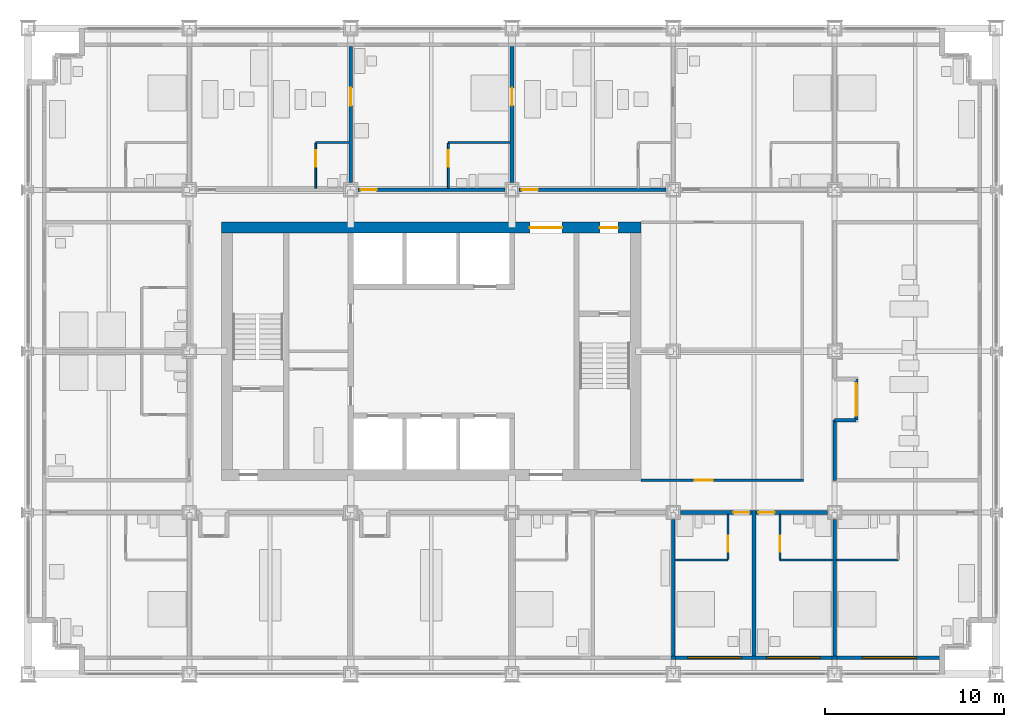
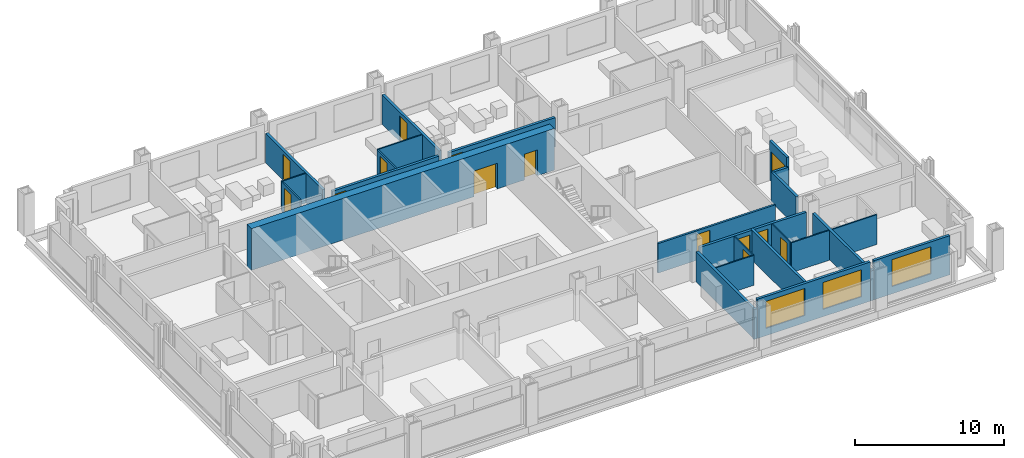
# One storey, part 12 of 18: 26 walls, 14 doors, 3 windows, 17 openings.
"""IFC4 building model written with IfcOpenShell, lengths in metres."""

from ifc_helpers import new_model, si_unit, direction, frame, frame_2d, origin, place, context, subcontext, project, spatial, rectangle, extrude, material, layer, layer_set, type_object, element, fill, save


model = new_model("IFC4")

# Units and contexts
model_context = context("Model", 3, precision=1e-05, world=origin(), true_north=direction((0.0, 1.0)))
body_context = subcontext(model_context, "Body", "Model", "MODEL_VIEW")
ifc_project = project(units=[si_unit("LENGTHUNIT", "METRE"), si_unit("AREAUNIT", "SQUARE_METRE"), si_unit("VOLUMEUNIT", "CUBIC_METRE"), si_unit("PLANEANGLEUNIT", "RADIAN"), si_unit("MASSUNIT", "GRAM", prefix="KILO")], contexts=[model_context])

# Site, building, storey
site_placement = place(None, origin())
site = spatial("IfcSite", under=ifc_project, at=site_placement, CompositionType="ELEMENT")
building_placement = place(site_placement, origin())
building = spatial("IfcBuilding", under=site, at=building_placement, Name="Loomwork Tower", CompositionType="ELEMENT")
storey_placement = place(building_placement, frame((0.0, 0.0, 28.0)))
storey = spatial("IfcBuildingStorey", under=building, at=storey_placement, Name="L05", CompositionType="ELEMENT", Elevation=28.0)

# Wall, openings, doors
ifc_material_1 = material(Name="Concrete 14000 psi (97 MPa)", Category="concrete")
ifc_layer_1 = layer(ifc_material_1, 0.60009765625)
ifc_layer_set_1 = layer_set([ifc_layer_1], Name="Core shear wall 600")
wall_type_1 = type_object("IfcWallType", Name="Core shear wall 600", PredefinedType="SHEAR", material=ifc_layer_set_1)
wall_1_placement = place(storey_placement, frame((10.800048828125, 24.89990234375, 0.0), z_axis=(0.0, 0.0, 1.0), x_axis=(1.0, 0.0, 0.0)))
wall_1 = element("IfcWall", 1, at=wall_1_placement, inside=storey, type_object=wall_type_1, Name="Core wall north L05", PredefinedType="SHEAR", context=body_context, shape_type="SweptSolid", body=[
    extrude(rectangle(XDim=23.39990234375, YDim=0.60009765625, at=frame_2d((11.699951171875, 0.0))), origin(), (0.0, 0.0, 1.0), 3.39990234375),
])
opening_1_placement = place(wall_1_placement, frame((17.199951171875, 0.0, 0.0)))
opening_1 = element("IfcOpeningElement", 2, at=opening_1_placement, cuts=wall_1, Name="Opening D6", PredefinedType="OPENING", context=body_context, shape_type="SweptSolid", body=[
    extrude(rectangle(XDim=1.800048828125, YDim=2.10009765625, at=frame_2d((0.89990234375, 1.050048828125))), frame((0.0, 0.31005859375, 0.0), z_axis=(0.0, -1.0, 0.0), x_axis=(1.0, 0.0, 0.0)), (0.0, 0.0, 1.0), 0.6201171875),
])
opening_2_placement = place(wall_1_placement, frame((21.10009765625, 0.0, 0.0)))
opening_2 = element("IfcOpeningElement", 3, at=opening_2_placement, cuts=wall_1, Name="Opening D4", PredefinedType="OPENING", context=body_context, shape_type="SweptSolid", body=[
    extrude(rectangle(XDim=1.0, YDim=2.10009765625, at=frame_2d((0.5, 1.050048828125))), frame((0.0, 0.31005859375, 0.0), z_axis=(0.0, -1.0, 0.0), x_axis=(1.0, 0.0, 0.0)), (0.0, 0.0, 1.0), 0.6201171875),
])
ifc_material_2 = material(Name="Hollow metal door and frame")
door_type_1 = type_object("IfcDoorType", Name="Lobby passage double door 1800", OperationType="DOUBLE_DOOR_SINGLE_SWING", PredefinedType="DOOR", material=ifc_material_2)
door_1_placement = place(opening_1_placement, frame((1.800048828125, 0.0, 0.0), z_axis=(0.0, 0.0, 1.0), x_axis=(-1.0, 0.0, 0.0)))
door_1 = element("IfcDoor", 4, at=door_1_placement, inside=storey, type_object=door_type_1, Name="Lobby passage door north", OperationType="DOUBLE_DOOR_SINGLE_SWING", OverallHeight=2.10009765625, OverallWidth=1.800048828125, PredefinedType="DOOR", context=body_context, shape_type="SweptSolid", body=[
    extrude(rectangle(XDim=1.800048828125, YDim=2.10009765625, at=frame_2d((0.89990234375, 1.050048828125))), frame((0.0, 0.02490234375, 0.0), z_axis=(0.0, -1.0, 0.0), x_axis=(1.0, 0.0, 0.0)), (0.0, 0.0, 1.0), 0.050048828125),
])
fill(opening_1, door_1)
ifc_material_3 = material(Name="Hollow metal door and frame")
door_type_2 = type_object("IfcDoorType", Name="Stair door 1000", OperationType="SINGLE_SWING_RIGHT", PredefinedType="DOOR", material=ifc_material_3)
door_2_placement = place(opening_2_placement, frame((1.0, 0.0, 0.0), z_axis=(0.0, 0.0, 1.0), x_axis=(-1.0, 0.0, 0.0)))
door_2 = element("IfcDoor", 5, at=door_2_placement, inside=storey, type_object=door_type_2, Name="Stair B vestibule door", OperationType="SINGLE_SWING_LEFT", OverallHeight=2.10009765625, OverallWidth=1.0, PredefinedType="DOOR", context=body_context, shape_type="SweptSolid", body=[
    extrude(rectangle(XDim=1.0, YDim=2.10009765625, at=frame_2d((0.5, 1.050048828125))), frame((0.0, 0.02490234375, 0.0), z_axis=(0.0, -1.0, 0.0), x_axis=(1.0, 0.0, 0.0)), (0.0, 0.0, 1.0), 0.050048828125),
])
fill(opening_2, door_2)

ifc_material_4 = material(Name="Gypsum board on steel studs, one-hour", Category="steel")
ifc_layer_2 = layer(ifc_material_4, 0.199951171875)
ifc_layer_set_2 = layer_set([ifc_layer_2], Name="Corridor wall 200")
wall_type_2 = type_object("IfcWallType", Name="Corridor wall 200", PredefinedType="PARTITIONING", material=ifc_layer_set_2)
wall_2_placement = place(storey_placement, frame((36.39990234375, 9.0, 0.0), z_axis=(0.0, 0.0, 1.0), x_axis=(1.0, 0.0, 0.0)))
wall_2 = element("IfcWall", 6, at=wall_2_placement, inside=storey, type_object=wall_type_2, Name="South corridor wall 5", PredefinedType="PARTITIONING", context=body_context, shape_type="SweptSolid", body=[
    extrude(rectangle(XDim=8.2001953125, YDim=0.199951171875, at=frame_2d((4.10009765625, 0.0))), origin(), (0.0, 0.0, 1.0), 2.43798828125),
])
opening_3_placement = place(wall_2_placement, frame((2.949951171875, 0.0, 0.0)))
opening_3 = element("IfcOpeningElement", 7, at=opening_3_placement, cuts=wall_2, Name="Opening D1", PredefinedType="OPENING", context=body_context, shape_type="SweptSolid", body=[
    extrude(rectangle(XDim=0.89990234375, YDim=2.10009765625, at=frame_2d((0.449951171875, 1.050048828125))), frame((0.0, 0.10986328125, 0.0), z_axis=(0.0, -1.0, 0.0), x_axis=(1.0, 0.0, 0.0)), (0.0, 0.0, 1.0), 0.219970703125),
])
opening_4_placement = place(wall_2_placement, frame((4.35009765625, 0.0, 0.0)))
opening_4 = element("IfcOpeningElement", 8, at=opening_4_placement, cuts=wall_2, Name="Opening D1", PredefinedType="OPENING", context=body_context, shape_type="SweptSolid", body=[
    extrude(rectangle(XDim=0.89990234375, YDim=2.10009765625, at=frame_2d((0.449951171875, 1.050048828125))), frame((0.0, 0.10986328125, 0.0), z_axis=(0.0, -1.0, 0.0), x_axis=(1.0, 0.0, 0.0)), (0.0, 0.0, 1.0), 0.219970703125),
])
ifc_material_5 = material(Name="Hollow metal door and frame")
door_type_3 = type_object("IfcDoorType", Name="Guest room entry door 900", OperationType="SINGLE_SWING_LEFT", PredefinedType="DOOR", material=ifc_material_5)
door_3_placement = place(opening_3_placement, frame((0.89990234375, 0.0, 0.0), z_axis=(0.0, 0.0, 1.0), x_axis=(-1.0, 0.0, 0.0)))
door_3 = element("IfcDoor", 9, at=door_3_placement, inside=storey, type_object=door_type_3, Name="Guest room entry door L05 6", OperationType="SINGLE_SWING_LEFT", OverallHeight=2.10009765625, OverallWidth=0.89990234375, PredefinedType="DOOR", context=body_context, shape_type="SweptSolid", body=[
    extrude(rectangle(XDim=0.89990234375, YDim=2.10009765625, at=frame_2d((0.449951171875, 1.050048828125))), frame((0.0, 0.02490234375, 0.0), z_axis=(0.0, -1.0, 0.0), x_axis=(1.0, 0.0, 0.0)), (0.0, 0.0, 1.0), 0.050048828125),
])
fill(opening_3, door_3)
door_4_placement = place(opening_4_placement, frame((0.89990234375, 0.0, 0.0), z_axis=(0.0, 0.0, 1.0), x_axis=(-1.0, 0.0, 0.0)))
door_4 = element("IfcDoor", 10, at=door_4_placement, inside=storey, type_object=door_type_3, Name="Guest room entry door L05 7", OperationType="SINGLE_SWING_RIGHT", OverallHeight=2.10009765625, OverallWidth=0.89990234375, PredefinedType="DOOR", context=body_context, shape_type="SweptSolid", body=[
    extrude(rectangle(XDim=0.89990234375, YDim=2.10009765625, at=frame_2d((0.449951171875, 1.050048828125))), frame((0.0, 0.02490234375, 0.0), z_axis=(0.0, -1.0, 0.0), x_axis=(1.0, 0.0, 0.0)), (0.0, 0.0, 1.0), 0.050048828125),
])
fill(opening_4, door_4)

# Wall, opening, door
wall_3_placement = place(storey_placement, frame((18.39990234375, 27.0, 0.0), z_axis=(0.0, 0.0, 1.0), x_axis=(1.0, 0.0, 0.0)))
wall_3 = element("IfcWall", 11, at=wall_3_placement, inside=storey, type_object=wall_type_2, Name="North corridor wall 3", PredefinedType="PARTITIONING", context=body_context, shape_type="SweptSolid", body=[
    extrude(rectangle(XDim=8.2001953125, YDim=0.199951171875, at=frame_2d((4.10009765625, 0.0))), origin(), (0.0, 0.0, 1.0), 2.405029296875),
])
opening_5_placement = place(wall_3_placement, frame((0.14990234375, 0.0, 0.0)))
opening_5 = element("IfcOpeningElement", 12, at=opening_5_placement, cuts=wall_3, Name="Opening D1", PredefinedType="OPENING", context=body_context, shape_type="SweptSolid", body=[
    extrude(rectangle(XDim=0.89990234375, YDim=2.10009765625, at=frame_2d((0.449951171875, 1.050048828125))), frame((0.0, 0.10986328125, 0.0), z_axis=(0.0, -1.0, 0.0), x_axis=(1.0, 0.0, 0.0)), (0.0, 0.0, 1.0), 0.219970703125),
])
door_5_placement = place(opening_5_placement, origin())
door_5 = element("IfcDoor", 13, at=door_5_placement, inside=storey, type_object=door_type_3, Name="Guest room entry door L05 11", OperationType="SINGLE_SWING_LEFT", OverallHeight=2.10009765625, OverallWidth=0.89990234375, PredefinedType="DOOR", context=body_context, shape_type="SweptSolid", body=[
    extrude(rectangle(XDim=0.89990234375, YDim=2.10009765625, at=frame_2d((0.449951171875, 1.050048828125))), frame((0.0, 0.02490234375, 0.0), z_axis=(0.0, -1.0, 0.0), x_axis=(1.0, 0.0, 0.0)), (0.0, 0.0, 1.0), 0.050048828125),
])
fill(opening_5, door_5)

wall_4_placement = place(storey_placement, frame((27.39990234375, 27.0, 0.0), z_axis=(0.0, 0.0, 1.0), x_axis=(1.0, 0.0, 0.0)))
wall_4 = element("IfcWall", 14, at=wall_4_placement, inside=storey, type_object=wall_type_2, Name="North corridor wall 4", PredefinedType="PARTITIONING", context=body_context, shape_type="SweptSolid", body=[
    extrude(rectangle(XDim=8.2001953125, YDim=0.199951171875, at=frame_2d((4.10009765625, 0.0))), origin(), (0.0, 0.0, 1.0), 2.405029296875),
])
opening_6_placement = place(wall_4_placement, frame((0.14990234375, 0.0, 0.0)))
opening_6 = element("IfcOpeningElement", 15, at=opening_6_placement, cuts=wall_4, Name="Opening D1", PredefinedType="OPENING", context=body_context, shape_type="SweptSolid", body=[
    extrude(rectangle(XDim=0.89990234375, YDim=2.10009765625, at=frame_2d((0.449951171875, 1.050048828125))), frame((0.0, 0.10986328125, 0.0), z_axis=(0.0, -1.0, 0.0), x_axis=(1.0, 0.0, 0.0)), (0.0, 0.0, 1.0), 0.219970703125),
])
door_6_placement = place(opening_6_placement, origin())
door_6 = element("IfcDoor", 16, at=door_6_placement, inside=storey, type_object=door_type_3, Name="Guest room entry door L05 12", OperationType="SINGLE_SWING_LEFT", OverallHeight=2.10009765625, OverallWidth=0.89990234375, PredefinedType="DOOR", context=body_context, shape_type="SweptSolid", body=[
    extrude(rectangle(XDim=0.89990234375, YDim=2.10009765625, at=frame_2d((0.449951171875, 1.050048828125))), frame((0.0, 0.02490234375, 0.0), z_axis=(0.0, -1.0, 0.0), x_axis=(1.0, 0.0, 0.0)), (0.0, 0.0, 1.0), 0.050048828125),
])
fill(opening_6, door_6)

# Walls
wall_5_placement = place(storey_placement, frame((45.0, 10.800048828125, 0.0), z_axis=(0.0, 0.0, 1.0), x_axis=(0.0, 1.0, 0.0)))
element("IfcWall", 17, at=wall_5_placement, inside=storey, type_object=wall_type_2, Name="East corridor wall 1", PredefinedType="PARTITIONING", context=body_context, shape_type="SweptSolid", body=[
    extrude(rectangle(XDim=3.349853515625, YDim=0.199951171875, at=frame_2d((1.6748046875, 0.0))), origin(), (0.0, 0.0, 1.0), 2.43798828125),
])
wall_6_placement = place(storey_placement, frame((45.0, 14.14990234375, 0.0), z_axis=(0.0, 0.0, 1.0), x_axis=(1.0, 0.0, 0.0)))
element("IfcWall", 18, at=wall_6_placement, inside=storey, type_object=wall_type_2, Name="Conference club lounge door L05 alcove wall", PredefinedType="PARTITIONING", context=body_context, shape_type="SweptSolid", body=[
    extrude(rectangle(XDim=1.199951171875, YDim=0.199951171875, at=frame_2d((0.60009765625, 0.0))), origin(), (0.0, 0.0, 1.0), 2.43798828125),
])

# Wall, opening, door
wall_7_placement = place(storey_placement, frame((46.199951171875, 14.14990234375, 0.0), z_axis=(0.0, 0.0, 1.0), x_axis=(0.0, 1.0, 0.0)))
wall_7 = element("IfcWall", 19, at=wall_7_placement, inside=storey, type_object=wall_type_2, Name="Conference club lounge door L05 alcove wall", PredefinedType="PARTITIONING", context=body_context, shape_type="SweptSolid", body=[
    extrude(rectangle(XDim=2.300048828125, YDim=0.199951171875, at=frame_2d((1.14990234375, 0.0))), origin(), (0.0, 0.0, 1.0), 3.199951171875),
])
opening_7_placement = place(wall_7_placement, frame((0.25, 0.0, 0.0)))
opening_7 = element("IfcOpeningElement", 20, at=opening_7_placement, cuts=wall_7, Name="Opening D16", PredefinedType="OPENING", context=body_context, shape_type="SweptSolid", body=[
    extrude(rectangle(XDim=1.800048828125, YDim=2.39990234375, at=frame_2d((0.89990234375, 1.199951171875))), frame((0.0, 0.10986328125, 0.0), z_axis=(0.0, -1.0, 0.0), x_axis=(1.0, 0.0, 0.0)), (0.0, 0.0, 1.0), 0.219970703125),
])
ifc_material_6 = material(Name="Hollow metal door and frame")
door_type_4 = type_object("IfcDoorType", Name="Fire-rated double door 1800", OperationType="DOUBLE_DOOR_SINGLE_SWING", PredefinedType="DOOR", material=ifc_material_6)
door_7_placement = place(opening_7_placement, origin())
door_7 = element("IfcDoor", 21, at=door_7_placement, inside=storey, type_object=door_type_4, Name="Conference club lounge door L05", OperationType="DOUBLE_DOOR_SINGLE_SWING", OverallHeight=2.39990234375, OverallWidth=1.800048828125, PredefinedType="DOOR", context=body_context, shape_type="SweptSolid", body=[
    extrude(rectangle(XDim=1.800048828125, YDim=2.39990234375, at=frame_2d((0.89990234375, 1.199951171875))), frame((0.0, 0.02490234375, 0.0), z_axis=(0.0, -1.0, 0.0), x_axis=(1.0, 0.0, 0.0)), (0.0, 0.0, 1.0), 0.050048828125),
])
fill(opening_7, door_7)

# Wall
ifc_material_7 = material(Name="Cement board on steel studs", Category="steel")
ifc_layer_3 = layer(ifc_material_7, 0.10009765625)
ifc_layer_set_3 = layer_set([ifc_layer_3], Name="En-suite partition 100")
wall_type_3 = type_object("IfcWallType", Name="En-suite partition 100", PredefinedType="PARTITIONING", material=ifc_layer_set_3)
wall_8_placement = place(storey_placement, frame((36.10009765625, 6.35009765625, 0.0), z_axis=(0.0, 0.0, 1.0), x_axis=(1.0, 0.0, 0.0)))
element("IfcWall", 22, at=wall_8_placement, inside=storey, type_object=wall_type_3, Name="En-suite wall L05 room 6", PredefinedType="PARTITIONING", context=body_context, shape_type="SweptSolid", body=[
    extrude(rectangle(XDim=2.949951171875, YDim=0.10009765625, at=frame_2d((1.47509765625, 0.0))), origin(), (0.0, 0.0, 1.0), 2.43798828125),
])

# Wall, opening, door
wall_9_placement = place(storey_placement, frame((39.050048828125, 8.89990234375, 0.0), z_axis=(0.0, 0.0, 1.0), x_axis=(0.0, -1.0, 0.0)))
wall_9 = element("IfcWall", 23, at=wall_9_placement, inside=storey, type_object=wall_type_3, Name="En-suite side wall L05 room 6", PredefinedType="PARTITIONING", context=body_context, shape_type="SweptSolid", body=[
    extrude(rectangle(XDim=2.5, YDim=0.10009765625, at=frame_2d((1.25, 0.0))), origin(), (0.0, 0.0, 1.0), 2.43798828125),
])
opening_8_placement = place(wall_9_placement, frame((1.199951171875, 0.0, 0.0)))
opening_8 = element("IfcOpeningElement", 24, at=opening_8_placement, cuts=wall_9, Name="Opening D2", PredefinedType="OPENING", context=body_context, shape_type="SweptSolid", body=[
    extrude(rectangle(XDim=0.89990234375, YDim=2.10009765625, at=frame_2d((0.449951171875, 1.050048828125))), frame((0.0, 0.06005859375, 0.0), z_axis=(0.0, -1.0, 0.0), x_axis=(1.0, 0.0, 0.0)), (0.0, 0.0, 1.0), 0.1201171875),
])
ifc_material_8 = material(Name="Hollow metal door and frame")
door_type_5 = type_object("IfcDoorType", Name="En-suite door 900", OperationType="SINGLE_SWING_LEFT", PredefinedType="DOOR", material=ifc_material_8)
door_8_placement = place(opening_8_placement, frame((0.89990234375, 0.0, 0.0), z_axis=(0.0, 0.0, 1.0), x_axis=(-1.0, 0.0, 0.0)))
door_8 = element("IfcDoor", 25, at=door_8_placement, inside=storey, type_object=door_type_5, Name="En-suite door room 6", OperationType="SINGLE_SWING_LEFT", OverallHeight=2.10009765625, OverallWidth=0.89990234375, PredefinedType="DOOR", context=body_context, shape_type="SweptSolid", body=[
    extrude(rectangle(XDim=0.89990234375, YDim=2.10009765625, at=frame_2d((0.449951171875, 1.050048828125))), frame((0.0, 0.02490234375, 0.0), z_axis=(0.0, -1.0, 0.0), x_axis=(1.0, 0.0, 0.0)), (0.0, 0.0, 1.0), 0.050048828125),
])
fill(opening_8, door_8)

# Wall
wall_10_placement = place(storey_placement, frame((41.949951171875, 6.35009765625, 0.0), z_axis=(0.0, 0.0, 1.0), x_axis=(1.0, 0.0, 0.0)))
element("IfcWall", 26, at=wall_10_placement, inside=storey, type_object=wall_type_3, Name="En-suite wall L05 room 7", PredefinedType="PARTITIONING", context=body_context, shape_type="SweptSolid", body=[
    extrude(rectangle(XDim=2.949951171875, YDim=0.10009765625, at=frame_2d((1.47509765625, 0.0))), origin(), (0.0, 0.0, 1.0), 2.43798828125),
])

# Wall, opening, door
wall_11_placement = place(storey_placement, frame((41.949951171875, 8.89990234375, 0.0), z_axis=(0.0, 0.0, 1.0), x_axis=(0.0, -1.0, 0.0)))
wall_11 = element("IfcWall", 27, at=wall_11_placement, inside=storey, type_object=wall_type_3, Name="En-suite side wall L05 room 7", PredefinedType="PARTITIONING", context=body_context, shape_type="SweptSolid", body=[
    extrude(rectangle(XDim=2.5, YDim=0.10009765625, at=frame_2d((1.25, 0.0))), origin(), (0.0, 0.0, 1.0), 2.43798828125),
])
opening_9_placement = place(wall_11_placement, frame((1.199951171875, 0.0, 0.0)))
opening_9 = element("IfcOpeningElement", 28, at=opening_9_placement, cuts=wall_11, Name="Opening D2", PredefinedType="OPENING", context=body_context, shape_type="SweptSolid", body=[
    extrude(rectangle(XDim=0.89990234375, YDim=2.10009765625, at=frame_2d((0.449951171875, 1.050048828125))), frame((0.0, 0.06005859375, 0.0), z_axis=(0.0, -1.0, 0.0), x_axis=(1.0, 0.0, 0.0)), (0.0, 0.0, 1.0), 0.1201171875),
])
door_9_placement = place(opening_9_placement, origin())
door_9 = element("IfcDoor", 29, at=door_9_placement, inside=storey, type_object=door_type_5, Name="En-suite door room 7", OperationType="SINGLE_SWING_RIGHT", OverallHeight=2.10009765625, OverallWidth=0.89990234375, PredefinedType="DOOR", context=body_context, shape_type="SweptSolid", body=[
    extrude(rectangle(XDim=0.89990234375, YDim=2.10009765625, at=frame_2d((0.449951171875, 1.050048828125))), frame((0.0, 0.02490234375, 0.0), z_axis=(0.0, -1.0, 0.0), x_axis=(1.0, 0.0, 0.0)), (0.0, 0.0, 1.0), 0.050048828125),
])
fill(opening_9, door_9)

# Walls
wall_12_placement = place(storey_placement, frame((45.10009765625, 6.35009765625, 0.0), z_axis=(0.0, 0.0, 1.0), x_axis=(1.0, 0.0, 0.0)))
element("IfcWall", 30, at=wall_12_placement, inside=storey, type_object=wall_type_3, Name="En-suite wall L05 room 8", PredefinedType="PARTITIONING", context=body_context, shape_type="SweptSolid", body=[
    extrude(rectangle(XDim=3.449951171875, YDim=0.10009765625, at=frame_2d((1.72509765625, 0.0))), origin(), (0.0, 0.0, 1.0), 2.43798828125),
])
wall_13_placement = place(storey_placement, frame((16.050048828125, 29.64990234375, 0.0), z_axis=(0.0, 0.0, 1.0), x_axis=(1.0, 0.0, 0.0)))
element("IfcWall", 31, at=wall_13_placement, inside=storey, type_object=wall_type_3, Name="En-suite wall L05 room 10", PredefinedType="PARTITIONING", context=body_context, shape_type="SweptSolid", body=[
    extrude(rectangle(XDim=1.849853515625, YDim=0.10009765625, at=frame_2d((0.9248046875, 0.0))), origin(), (0.0, 0.0, 1.0), 2.404052734375),
])

# Wall, opening, door
wall_14_placement = place(storey_placement, frame((16.050048828125, 27.10009765625, 0.0), z_axis=(0.0, 0.0, 1.0), x_axis=(0.0, 1.0, 0.0)))
wall_14 = element("IfcWall", 32, at=wall_14_placement, inside=storey, type_object=wall_type_3, Name="En-suite side wall L05 room 10", PredefinedType="PARTITIONING", context=body_context, shape_type="SweptSolid", body=[
    extrude(rectangle(XDim=2.5, YDim=0.10009765625, at=frame_2d((1.25, 0.0))), origin(), (0.0, 0.0, 1.0), 2.404052734375),
])
opening_10_placement = place(wall_14_placement, frame((1.199951171875, 0.0, 0.0)))
opening_10 = element("IfcOpeningElement", 33, at=opening_10_placement, cuts=wall_14, Name="Opening D2", PredefinedType="OPENING", context=body_context, shape_type="SweptSolid", body=[
    extrude(rectangle(XDim=0.89990234375, YDim=2.10009765625, at=frame_2d((0.449951171875, 1.050048828125))), frame((0.0, 0.06005859375, 0.0), z_axis=(0.0, -1.0, 0.0), x_axis=(1.0, 0.0, 0.0)), (0.0, 0.0, 1.0), 0.1201171875),
])
door_10_placement = place(opening_10_placement, frame((0.89990234375, 0.0, 0.0), z_axis=(0.0, 0.0, 1.0), x_axis=(-1.0, 0.0, 0.0)))
door_10 = element("IfcDoor", 34, at=door_10_placement, inside=storey, type_object=door_type_5, Name="Suite powder room door room 10", OperationType="SINGLE_SWING_LEFT", OverallHeight=2.10009765625, OverallWidth=0.89990234375, PredefinedType="DOOR", context=body_context, shape_type="SweptSolid", body=[
    extrude(rectangle(XDim=0.89990234375, YDim=2.10009765625, at=frame_2d((0.449951171875, 1.050048828125))), frame((0.0, 0.02490234375, 0.0), z_axis=(0.0, -1.0, 0.0), x_axis=(1.0, 0.0, 0.0)), (0.0, 0.0, 1.0), 0.050048828125),
])
fill(opening_10, door_10)

# Wall
wall_15_placement = place(storey_placement, frame((23.449951171875, 29.64990234375, 0.0), z_axis=(0.0, 0.0, 1.0), x_axis=(1.0, 0.0, 0.0)))
element("IfcWall", 35, at=wall_15_placement, inside=storey, type_object=wall_type_3, Name="En-suite wall L05 room 11", PredefinedType="PARTITIONING", context=body_context, shape_type="SweptSolid", body=[
    extrude(rectangle(XDim=3.449951171875, YDim=0.10009765625, at=frame_2d((1.72509765625, 0.0))), origin(), (0.0, 0.0, 1.0), 2.404052734375),
])

# Wall, opening, door
wall_16_placement = place(storey_placement, frame((23.449951171875, 27.10009765625, 0.0), z_axis=(0.0, 0.0, 1.0), x_axis=(0.0, 1.0, 0.0)))
wall_16 = element("IfcWall", 36, at=wall_16_placement, inside=storey, type_object=wall_type_3, Name="En-suite side wall L05 room 11", PredefinedType="PARTITIONING", context=body_context, shape_type="SweptSolid", body=[
    extrude(rectangle(XDim=2.5, YDim=0.10009765625, at=frame_2d((1.25, 0.0))), origin(), (0.0, 0.0, 1.0), 2.404052734375),
])
opening_11_placement = place(wall_16_placement, frame((1.199951171875, 0.0, 0.0)))
opening_11 = element("IfcOpeningElement", 37, at=opening_11_placement, cuts=wall_16, Name="Opening D2", PredefinedType="OPENING", context=body_context, shape_type="SweptSolid", body=[
    extrude(rectangle(XDim=0.89990234375, YDim=2.10009765625, at=frame_2d((0.449951171875, 1.050048828125))), frame((0.0, 0.06005859375, 0.0), z_axis=(0.0, -1.0, 0.0), x_axis=(1.0, 0.0, 0.0)), (0.0, 0.0, 1.0), 0.1201171875),
])
door_11_placement = place(opening_11_placement, frame((0.89990234375, 0.0, 0.0), z_axis=(0.0, 0.0, 1.0), x_axis=(-1.0, 0.0, 0.0)))
door_11 = element("IfcDoor", 38, at=door_11_placement, inside=storey, type_object=door_type_5, Name="En-suite door room 11", OperationType="SINGLE_SWING_LEFT", OverallHeight=2.10009765625, OverallWidth=0.89990234375, PredefinedType="DOOR", context=body_context, shape_type="SweptSolid", body=[
    extrude(rectangle(XDim=0.89990234375, YDim=2.10009765625, at=frame_2d((0.449951171875, 1.050048828125))), frame((0.0, 0.02490234375, 0.0), z_axis=(0.0, -1.0, 0.0), x_axis=(1.0, 0.0, 0.0)), (0.0, 0.0, 1.0), 0.050048828125),
])
fill(opening_11, door_11)

# Walls
ifc_material_9 = material(Name="Gypsum board on steel studs, acoustic", Category="steel")
ifc_layer_4 = layer(ifc_material_9, 0.199951171875)
ifc_layer_set_4 = layer_set([ifc_layer_4], Name="Guest room party wall 200")
wall_type_4 = type_object("IfcWallType", Name="Guest room party wall 200", PredefinedType="PARTITIONING", material=ifc_layer_set_4)
for number, where, z_axis, x_axis, name in (
    (39, (36.0, 8.60009765625, 0.0), (0.0, 0.0, 1.0), (0.0, -1.0, 0.0), "Guest room party wall S 36"),
    (40, (45.0, 8.60009765625, 0.0), (0.0, 0.0, 1.0), (0.0, -1.0, 0.0), "Guest room party wall S 45"),
):
    element("IfcWall", number, at=place(storey_placement, frame(where, z_axis=z_axis, x_axis=x_axis)), inside=storey, type_object=wall_type_4, Name=name, PredefinedType="PARTITIONING", context=body_context, shape_type="SweptSolid", body=[
        extrude(rectangle(XDim=7.60009765625, YDim=0.199951171875, at=frame_2d((3.800048828125, 0.0))), origin(), (0.0, 0.0, 1.0), 2.43798828125),
    ])
wall_17_placement = place(storey_placement, frame((40.5, 9.10009765625, 0.0), z_axis=(0.0, 0.0, 1.0), x_axis=(0.0, -1.0, 0.0)))
element("IfcWall", 41, at=wall_17_placement, inside=storey, type_object=wall_type_4, Name="Guest room party wall S 40.5", PredefinedType="PARTITIONING", context=body_context, shape_type="SweptSolid", body=[
    extrude(rectangle(XDim=8.10009765625, YDim=0.199951171875, at=frame_2d((4.050048828125, 0.0))), origin(), (0.0, 0.0, 1.0), 2.43798828125),
])

# Wall, opening, door
wall_18_placement = place(storey_placement, frame((18.0, 27.39990234375, 0.0), z_axis=(0.0, 0.0, 1.0), x_axis=(0.0, 1.0, 0.0)))
wall_18 = element("IfcWall", 42, at=wall_18_placement, inside=storey, type_object=wall_type_4, Name="Guest room party wall N 18", PredefinedType="PARTITIONING", context=body_context, shape_type="SweptSolid", body=[
    extrude(rectangle(XDim=7.60009765625, YDim=0.199951171875, at=frame_2d((3.800048828125, 0.0))), origin(), (0.0, 0.0, 1.0), 2.405029296875),
])
opening_12_placement = place(wall_18_placement, frame((4.300048828125, 0.0, 0.0)))
opening_12 = element("IfcOpeningElement", 43, at=opening_12_placement, cuts=wall_18, Name="Opening D7", PredefinedType="OPENING", context=body_context, shape_type="SweptSolid", body=[
    extrude(rectangle(XDim=1.0, YDim=2.10009765625, at=frame_2d((0.5, 1.050048828125))), frame((0.0, 0.10986328125, 0.0), z_axis=(0.0, -1.0, 0.0), x_axis=(1.0, 0.0, 0.0)), (0.0, 0.0, 1.0), 0.219970703125),
])
ifc_material_10 = material(Name="Hollow metal door and frame")
door_type_6 = type_object("IfcDoorType", Name="Room door 1000", OperationType="SINGLE_SWING_LEFT", PredefinedType="DOOR", material=ifc_material_10)
door_12_placement = place(opening_12_placement, frame((1.0, 0.0, 0.0), z_axis=(0.0, 0.0, 1.0), x_axis=(-1.0, 0.0, 0.0)))
door_12 = element("IfcDoor", 44, at=door_12_placement, inside=storey, type_object=door_type_6, Name="Suite connecting door L05 N 18", OperationType="SINGLE_SWING_RIGHT", OverallHeight=2.10009765625, OverallWidth=1.0, PredefinedType="DOOR", context=body_context, shape_type="SweptSolid", body=[
    extrude(rectangle(XDim=1.0, YDim=2.10009765625, at=frame_2d((0.5, 1.050048828125))), frame((0.0, 0.02490234375, 0.0), z_axis=(0.0, -1.0, 0.0), x_axis=(1.0, 0.0, 0.0)), (0.0, 0.0, 1.0), 0.050048828125),
])
fill(opening_12, door_12)

wall_19_placement = place(storey_placement, frame((27.0, 27.39990234375, 0.0), z_axis=(0.0, 0.0, 1.0), x_axis=(0.0, 1.0, 0.0)))
wall_19 = element("IfcWall", 45, at=wall_19_placement, inside=storey, type_object=wall_type_4, Name="Guest room party wall N 27", PredefinedType="PARTITIONING", context=body_context, shape_type="SweptSolid", body=[
    extrude(rectangle(XDim=7.60009765625, YDim=0.199951171875, at=frame_2d((3.800048828125, 0.0))), origin(), (0.0, 0.0, 1.0), 2.405029296875),
])
opening_13_placement = place(wall_19_placement, frame((4.300048828125, 0.0, 0.0)))
opening_13 = element("IfcOpeningElement", 46, at=opening_13_placement, cuts=wall_19, Name="Opening D7", PredefinedType="OPENING", context=body_context, shape_type="SweptSolid", body=[
    extrude(rectangle(XDim=1.0, YDim=2.10009765625, at=frame_2d((0.5, 1.050048828125))), frame((0.0, 0.10986328125, 0.0), z_axis=(0.0, -1.0, 0.0), x_axis=(1.0, 0.0, 0.0)), (0.0, 0.0, 1.0), 0.219970703125),
])
door_13_placement = place(opening_13_placement, origin())
door_13 = element("IfcDoor", 47, at=door_13_placement, inside=storey, type_object=door_type_6, Name="Suite connecting door L05 N 27", OperationType="SINGLE_SWING_LEFT", OverallHeight=2.10009765625, OverallWidth=1.0, PredefinedType="DOOR", context=body_context, shape_type="SweptSolid", body=[
    extrude(rectangle(XDim=1.0, YDim=2.10009765625, at=frame_2d((0.5, 1.050048828125))), frame((0.0, 0.02490234375, 0.0), z_axis=(0.0, -1.0, 0.0), x_axis=(1.0, 0.0, 0.0)), (0.0, 0.0, 1.0), 0.050048828125),
])
fill(opening_13, door_13)

# Wall
ifc_material_11 = material(Name="Insulated steel stud wall with gypsum lining", Category="steel")
ifc_layer_5 = layer(ifc_material_11, 0.199951171875)
ifc_layer_set_5 = layer_set([ifc_layer_5], Name="Inner skin wall 200")
wall_type_5 = type_object("IfcWallType", Name="Inner skin wall 200", PredefinedType="SOLIDWALL", material=ifc_layer_set_5)
wall_20_placement = place(storey_placement, frame((35.864501953125, 0.89990234375, 0.0), z_axis=(0.0, 0.0, 1.0), x_axis=(1.0, 0.0, 0.0)))
element("IfcWall", 48, at=wall_20_placement, inside=storey, type_object=wall_type_5, Name="Inner skin wall S bay 8", PredefinedType="SOLIDWALL", context=body_context, shape_type="SweptSolid", body=[
    extrude(rectangle(XDim=0.27099609375, YDim=0.199951171875, at=frame_2d((0.135498046875, 0.0))), origin(), (0.0, 0.0, 1.0), 2.43798828125),
])

# Wall, openings, windows
wall_21_placement = place(storey_placement, frame((36.135498046875, 0.89990234375, 0.0), z_axis=(0.0, 0.0, 1.0), x_axis=(1.0, 0.0, 0.0)))
wall_21 = element("IfcWall", 49, at=wall_21_placement, inside=storey, type_object=wall_type_5, Name="Inner skin wall S bay 9", PredefinedType="SOLIDWALL", context=body_context, shape_type="SweptSolid", body=[
    extrude(rectangle(XDim=8.72900390625, YDim=0.199951171875, at=frame_2d((4.364501953125, 0.0))), origin(), (0.0, 0.0, 1.0), 3.199951171875),
])
opening_14_placement = place(wall_21_placement, frame((0.66455078125, 0.0, 0.60009765625)))
opening_14 = element("IfcOpeningElement", 50, at=opening_14_placement, cuts=wall_21, Name="Opening CH1", PredefinedType="OPENING", context=body_context, shape_type="SweptSolid", body=[
    extrude(rectangle(XDim=3.0, YDim=2.199951171875, at=frame_2d((1.5, 1.10009765625))), frame((0.0, 0.10986328125, 0.0), z_axis=(0.0, -1.0, 0.0), x_axis=(1.0, 0.0, 0.0)), (0.0, 0.0, 1.0), 0.219970703125),
])
opening_15_placement = place(wall_21_placement, frame((5.064697265625, 0.0, 0.60009765625)))
opening_15 = element("IfcOpeningElement", 51, at=opening_15_placement, cuts=wall_21, Name="Opening CH1", PredefinedType="OPENING", context=body_context, shape_type="SweptSolid", body=[
    extrude(rectangle(XDim=3.0, YDim=2.199951171875, at=frame_2d((1.5, 1.10009765625))), frame((0.0, 0.10986328125, 0.0), z_axis=(0.0, -1.0, 0.0), x_axis=(1.0, 0.0, 0.0)), (0.0, 0.0, 1.0), 0.219970703125),
])
ifc_material_12 = material(Name="Aluminium frame with clear insulated glass", Category="aluminium")
window_type = type_object("IfcWindowType", Name="Chicago window 3000", PartitioningType="TRIPLE_PANEL_VERTICAL", PredefinedType="WINDOW", material=ifc_material_12)
window_1_placement = place(opening_14_placement, origin())
window_1 = element("IfcWindow", 52, at=window_1_placement, inside=storey, type_object=window_type, Name="Chicago window L05 bay 5", OverallHeight=2.199951171875, OverallWidth=3.0, PartitioningType="TRIPLE_PANEL_VERTICAL", PredefinedType="WINDOW", context=body_context, shape_type="SweptSolid", body=[
    extrude(rectangle(XDim=3.0, YDim=2.199951171875, at=frame_2d((1.5, 1.10009765625))), frame((0.0, 0.030029296875, 0.0), z_axis=(0.0, -1.0, 0.0), x_axis=(1.0, 0.0, 0.0)), (0.0, 0.0, 1.0), 0.06005859375),
])
fill(opening_14, window_1)
window_2_placement = place(opening_15_placement, origin())
window_2 = element("IfcWindow", 53, at=window_2_placement, inside=storey, type_object=window_type, Name="Chicago window L05 bay 5", OverallHeight=2.199951171875, OverallWidth=3.0, PartitioningType="TRIPLE_PANEL_VERTICAL", PredefinedType="WINDOW", context=body_context, shape_type="SweptSolid", body=[
    extrude(rectangle(XDim=3.0, YDim=2.199951171875, at=frame_2d((1.5, 1.10009765625))), frame((0.0, 0.030029296875, 0.0), z_axis=(0.0, -1.0, 0.0), x_axis=(1.0, 0.0, 0.0)), (0.0, 0.0, 1.0), 0.06005859375),
])
fill(opening_15, window_2)

# Wall
wall_22_placement = place(storey_placement, frame((44.864501953125, 0.89990234375, 0.0), z_axis=(0.0, 0.0, 1.0), x_axis=(1.0, 0.0, 0.0)))
element("IfcWall", 54, at=wall_22_placement, inside=storey, type_object=wall_type_5, Name="Inner skin wall S bay 10", PredefinedType="SOLIDWALL", context=body_context, shape_type="SweptSolid", body=[
    extrude(rectangle(XDim=0.27099609375, YDim=0.199951171875, at=frame_2d((0.135498046875, 0.0))), origin(), (0.0, 0.0, 1.0), 2.43798828125),
])

# Wall, opening, window
wall_23_placement = place(storey_placement, frame((45.135498046875, 0.89990234375, 0.0), z_axis=(0.0, 0.0, 1.0), x_axis=(1.0, 0.0, 0.0)))
wall_23 = element("IfcWall", 55, at=wall_23_placement, inside=storey, type_object=wall_type_5, Name="Inner skin wall S bay 11", PredefinedType="SOLIDWALL", context=body_context, shape_type="SweptSolid", body=[
    extrude(rectangle(XDim=5.864501953125, YDim=0.199951171875, at=frame_2d((2.93212890625, 0.0))), origin(), (0.0, 0.0, 1.0), 3.199951171875),
])
opening_16_placement = place(wall_23_placement, frame((1.41455078125, 0.0, 0.60009765625)))
opening_16 = element("IfcOpeningElement", 56, at=opening_16_placement, cuts=wall_23, Name="Opening CH1", PredefinedType="OPENING", context=body_context, shape_type="SweptSolid", body=[
    extrude(rectangle(XDim=3.0, YDim=2.199951171875, at=frame_2d((1.5, 1.10009765625))), frame((0.0, 0.10986328125, 0.0), z_axis=(0.0, -1.0, 0.0), x_axis=(1.0, 0.0, 0.0)), (0.0, 0.0, 1.0), 0.219970703125),
])
window_3_placement = place(opening_16_placement, origin())
window_3 = element("IfcWindow", 57, at=window_3_placement, inside=storey, type_object=window_type, Name="Chicago window L05 bay 6", OverallHeight=2.199951171875, OverallWidth=3.0, PartitioningType="TRIPLE_PANEL_VERTICAL", PredefinedType="WINDOW", context=body_context, shape_type="SweptSolid", body=[
    extrude(rectangle(XDim=3.0, YDim=2.199951171875, at=frame_2d((1.5, 1.10009765625))), frame((0.0, 0.030029296875, 0.0), z_axis=(0.0, -1.0, 0.0), x_axis=(1.0, 0.0, 0.0)), (0.0, 0.0, 1.0), 0.06005859375),
])
fill(opening_16, window_3)

# Wall, opening, door
ifc_material_13 = material(Name="Gypsum board on steel studs, one-hour", Category="steel")
ifc_layer_6 = layer(ifc_material_13, 0.14990234375)
ifc_layer_set_6 = layer_set([ifc_layer_6], Name="Service partition 150")
wall_type_6 = type_object("IfcWallType", Name="Service partition 150", PredefinedType="PARTITIONING", material=ifc_layer_set_6)
wall_24_placement = place(storey_placement, frame((34.199951171875, 10.800048828125, 0.0), z_axis=(0.0, 0.0, 1.0), x_axis=(1.0, 0.0, 0.0)))
wall_24 = element("IfcWall", 58, at=wall_24_placement, inside=storey, type_object=wall_type_6, Name="Service block wall S", PredefinedType="PARTITIONING", context=body_context, shape_type="SweptSolid", body=[
    extrude(rectangle(XDim=9.074951171875, YDim=0.14990234375, at=frame_2d((4.53759765625, 0.0))), origin(), (0.0, 0.0, 1.0), 2.404052734375),
])
opening_17_placement = place(wall_24_placement, frame((3.0, 0.0, 0.0)))
opening_17 = element("IfcOpeningElement", 59, at=opening_17_placement, cuts=wall_24, Name="Opening D5", PredefinedType="OPENING", context=body_context, shape_type="SweptSolid", body=[
    extrude(rectangle(XDim=1.0, YDim=2.10009765625, at=frame_2d((0.5, 1.050048828125))), frame((0.0, 0.0849609375, 0.0), z_axis=(0.0, -1.0, 0.0), x_axis=(1.0, 0.0, 0.0)), (0.0, 0.0, 1.0), 0.169921875),
])
ifc_material_14 = material(Name="Hollow metal door and frame")
door_type_7 = type_object("IfcDoorType", Name="Service door 1000", OperationType="SINGLE_SWING_LEFT", PredefinedType="DOOR", material=ifc_material_14)
door_14_placement = place(opening_17_placement, origin())
door_14 = element("IfcDoor", 60, at=door_14_placement, inside=storey, type_object=door_type_7, Name="Housekeeping store door", OperationType="SINGLE_SWING_RIGHT", OverallHeight=2.10009765625, OverallWidth=1.0, PredefinedType="DOOR", context=body_context, shape_type="SweptSolid", body=[
    extrude(rectangle(XDim=1.0, YDim=2.10009765625, at=frame_2d((0.5, 1.050048828125))), frame((0.0, 0.02490234375, 0.0), z_axis=(0.0, -1.0, 0.0), x_axis=(1.0, 0.0, 0.0)), (0.0, 0.0, 1.0), 0.050048828125),
])
fill(opening_17, door_14)

save(model, "model.ifc")
